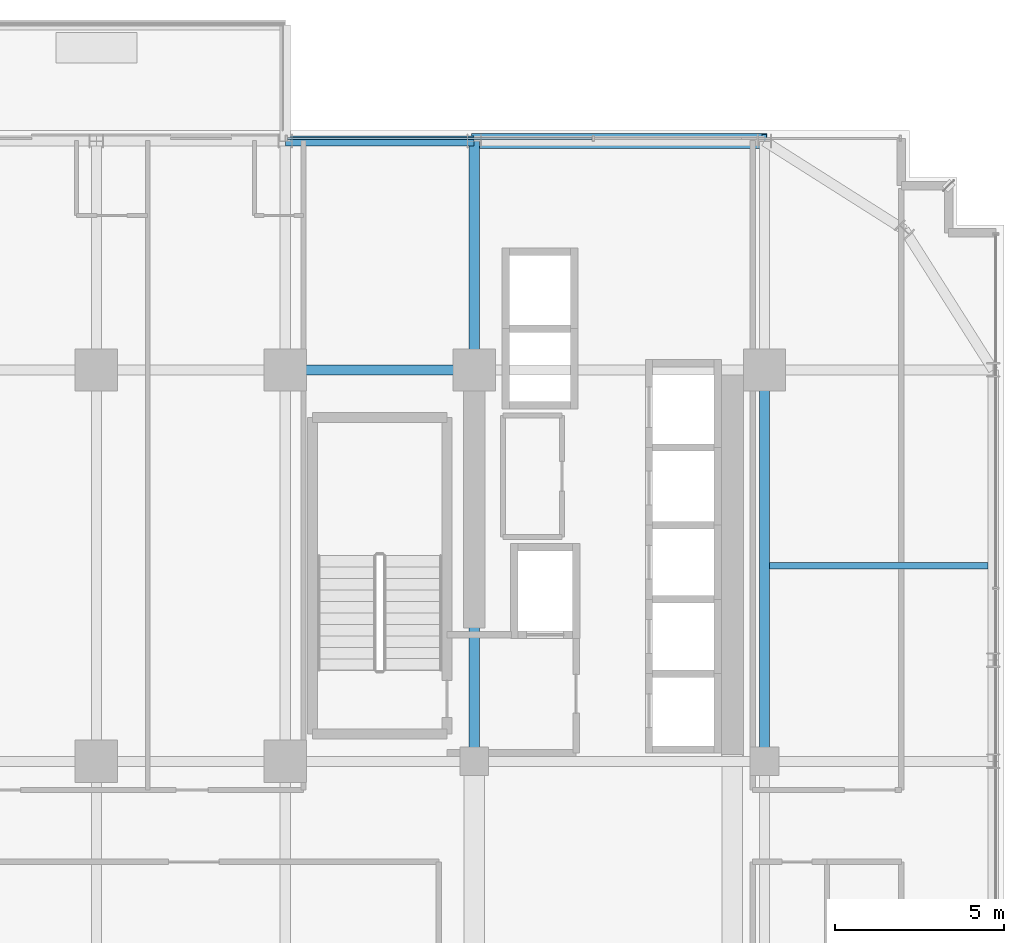
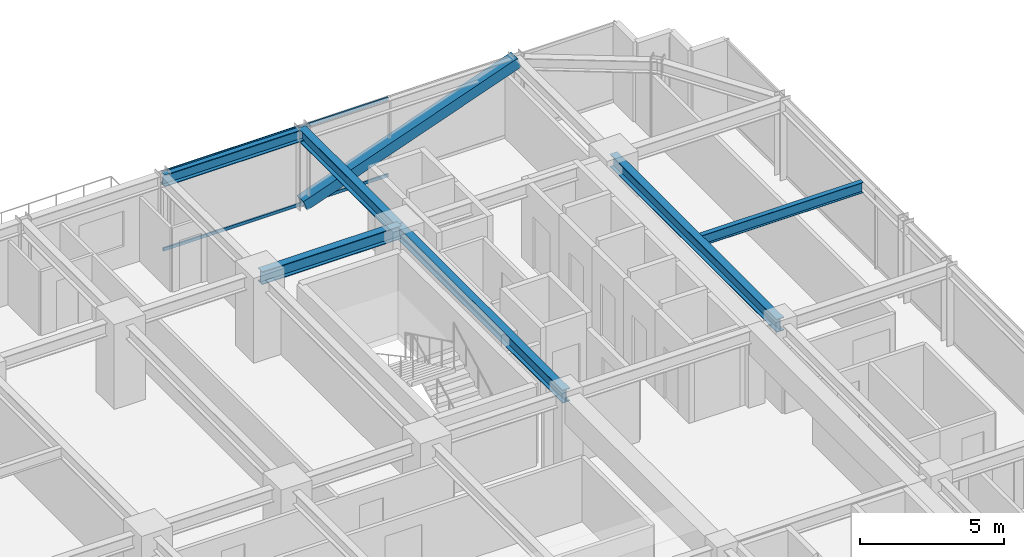
# One storey, part 21 of 39: 6 beams, 3 members, 1 element without a shape of its own.
"""IFC4 building model written with IfcOpenShell, lengths in metres."""

from ifc_helpers import new_model, si_unit, direction, frame, origin, origin_2d, place, context, subcontext, project, spatial, hollow_rectangle, i_section, extrude, source, transform, mapped, material, material_profile, profile_set, type_object, element, aggregate, save


model = new_model("IFC4")

# Units and contexts
model_context = context("Model", 3, precision=1e-05, world=origin(), true_north=direction((0.0, 1.0)))
body_context = subcontext(model_context, "Body", "Model", "MODEL_VIEW")
ifc_project = project(units=[si_unit("LENGTHUNIT", "METRE"), si_unit("AREAUNIT", "SQUARE_METRE"), si_unit("VOLUMEUNIT", "CUBIC_METRE"), si_unit("PLANEANGLEUNIT", "RADIAN"), si_unit("MASSUNIT", "GRAM", prefix="KILO")], contexts=[model_context])

# Site, building, storey
site_placement = place(None, origin())
site = spatial("IfcSite", under=ifc_project, at=site_placement, CompositionType="ELEMENT")
building_placement = place(site_placement, origin())
building = spatial("IfcBuilding", under=site, at=building_placement, Name="Nahalor Promenade Grand Hotel", CompositionType="ELEMENT")
storey_placement = place(building_placement, frame((0.0, 0.0, 135.75)))
storey = spatial("IfcBuildingStorey", under=building, at=storey_placement, Name="L34", CompositionType="ELEMENT", Elevation=135.75)

# Beams
ifc_material_1 = material(Name="Steel S355JR", Category="steel")
ifc_material_profile_1 = material_profile(ifc_material_1, i_section(OverallWidth=0.3, OverallDepth=0.5, WebThickness=0.0145, FlangeThickness=0.028, at=origin_2d()), Name="HEB 500")
ifc_profile_set_1 = profile_set([ifc_material_profile_1], Name="Steel S355JR")
beam_type_1 = type_object("IfcBeamType", Name="Beam-Spandrel-HEB500", PredefinedType="SPANDREL", material=ifc_profile_set_1)
shared_shape_1 = source(origin(), body_context, "Body", "SweptSolid", [
    extrude(i_section(OverallWidth=0.3, OverallDepth=0.5, WebThickness=0.0145, FlangeThickness=0.028, at=origin_2d()), origin(), (0.0, 0.0, 1.0), 5.599853515625),
])
beam_1_placement = place(storey_placement, frame((2.800048828125, 23.780029296875, 3.1298828125), z_axis=(1.0, 0.0, 0.0), x_axis=(0.0, 1.0, 0.0)))
element("IfcBeam", 1, at=beam_1_placement, inside=storey, type_object=beam_type_1, Name="BM-L34-SP-N-3", PredefinedType="SPANDREL", context=body_context, shape_type="MappedRepresentation", body=[
    mapped(shared_shape_1, transform((0.0, 0.0, 0.0), scale=1.0)),
])
ifc_material_profile_2 = material_profile(ifc_material_1, i_section(OverallWidth=0.3, OverallDepth=0.55, WebThickness=0.015, FlangeThickness=0.029, at=origin_2d()), Name="HEB 550")
ifc_profile_set_2 = profile_set([ifc_material_profile_2], Name="Steel S355JR")
beam_type_2 = type_object("IfcBeamType", Name="Beam-Girder-HEB550", PredefinedType="BEAM", material=ifc_profile_set_2)
shared_shape_2 = source(origin(), body_context, "Body", "SweptSolid", [
    extrude(i_section(OverallWidth=0.3, OverallDepth=0.55, WebThickness=0.015, FlangeThickness=0.029, at=origin_2d()), origin(), (0.0, 0.0, 1.0), 6.780029296875),
])
beam_2_placement = place(storey_placement, frame((8.39990234375, 17.0, 3.10498046875), z_axis=(0.0, 1.0, 0.0), x_axis=(-1.0, 0.0, 0.0)))
element("IfcBeam", 2, at=beam_2_placement, inside=storey, type_object=beam_type_2, Name="BM-L34-GY-4-4", PredefinedType="BEAM", context=body_context, shape_type="MappedRepresentation", body=[
    mapped(shared_shape_2, transform((0.0, 0.0, 0.0), scale=1.0)),
])
shared_shape_3 = source(origin(), body_context, "Body", "SweptSolid", [
    extrude(i_section(OverallWidth=0.3, OverallDepth=0.55, WebThickness=0.015, FlangeThickness=0.029, at=origin_2d()), origin(), (0.0, 0.0, 1.0), 5.599853515625),
])
beam_3_placement = place(storey_placement, frame((2.800048828125, 17.0, 3.10498046875), z_axis=(1.0, 0.0, 0.0), x_axis=(0.0, 1.0, 0.0)))
element("IfcBeam", 3, at=beam_3_placement, inside=storey, type_object=beam_type_2, Name="BM-L34-GX-3-4", PredefinedType="BEAM", context=body_context, shape_type="MappedRepresentation", body=[
    mapped(shared_shape_3, transform((0.0, 0.0, 0.0), scale=1.0)),
])
shared_shape_4 = source(origin(), body_context, "Body", "SweptSolid", [
    extrude(i_section(OverallWidth=0.3, OverallDepth=0.55, WebThickness=0.015, FlangeThickness=0.029, at=origin_2d()), origin(), (0.0, 0.0, 1.0), 11.60009765625),
])
for number, where, z_axis, x_axis, name in (
    (4, (8.39990234375, 5.39990234375, 3.10498046875), (0.0, 1.0, 0.0), (-1.0, 0.0, 0.0), "BM-L34-GY-4-3"),
    (5, (17.0, 5.39990234375, 3.10498046875), (0.0, 1.0, 0.0), (-1.0, 0.0, 0.0), "BM-L34-GY-5-3"),
):
    element("IfcBeam", number, at=place(storey_placement, frame(where, z_axis=z_axis, x_axis=x_axis)), inside=storey, type_object=beam_type_2, Name=name, PredefinedType="BEAM", context=body_context, shape_type="MappedRepresentation", body=[
        mapped(shared_shape_4, transform((0.0, 0.0, 0.0), scale=1.0)),
    ])
ifc_material_profile_3 = material_profile(ifc_material_1, i_section(OverallWidth=0.19, OverallDepth=0.45, WebThickness=0.0094, FlangeThickness=0.0146, at=origin_2d()), Name="IPE 450")
ifc_profile_set_3 = profile_set([ifc_material_profile_3], Name="Steel S355JR")
beam_type_3 = type_object("IfcBeamType", Name="Beam-Joist-IPE450", PredefinedType="JOIST", material=ifc_profile_set_3)
shared_shape_5 = source(origin(), body_context, "Body", "SweptSolid", [
    extrude(i_section(OverallWidth=0.19, OverallDepth=0.45, WebThickness=0.0094, FlangeThickness=0.0146, at=origin_2d()), origin(), (0.0, 0.0, 1.0), 6.47998046875),
])
beam_4_placement = place(storey_placement, frame((17.14990234375, 11.199951171875, 3.155029296875), z_axis=(1.0, 0.0, 0.0), x_axis=(0.0, 1.0, 0.0)))
element("IfcBeam", 6, at=beam_4_placement, inside=storey, type_object=beam_type_3, Name="BM-L34-JSE-1-2", PredefinedType="JOIST", context=body_context, shape_type="MappedRepresentation", body=[
    mapped(shared_shape_5, transform((0.0, 0.0, 0.0), scale=1.0)),
])

# Member
ifc_material_2 = material(Name="Steel S355J2", Category="steel")
ifc_material_profile_4 = material_profile(ifc_material_2, hollow_rectangle(XDim=0.45, YDim=0.45, WallThickness=0.025, at=origin_2d()), Name="SHS 450x450x25")
ifc_profile_set_4 = profile_set([ifc_material_profile_4], Name="Steel S355J2")
member_type_1 = type_object("IfcMemberType", Name="Mem-ExoBrace-SHS450", PredefinedType="BRACE", material=ifc_profile_set_4)
shared_shape_6 = source(origin(), body_context, "Body", "SweptSolid", [
    extrude(hollow_rectangle(XDim=0.45, YDim=0.45, WallThickness=0.025, at=origin_2d()), origin(), (0.0, 0.0, 1.0), 9.135009765625),
])
member_1_placement = place(storey_placement, frame((8.39990234375, 23.780029296875, 0.14990234375), z_axis=(0.941442840152, 0.0, 0.337172624521), x_axis=(0.0, 1.0, 0.0)))
element("IfcMember", 7, at=member_1_placement, inside=storey, type_object=member_type_1, Name="EXO-L34-N-1", PredefinedType="BRACE", context=body_context, shape_type="MappedRepresentation", body=[
    mapped(shared_shape_6, transform((0.0, 0.0, 0.0), scale=1.0)),
])

# Curtain wall, members
ifc_material_3 = material(Name="Anodised Bronze Aluminium EN AW-6063 T6", Category="aluminium")
curtain_wall_type = type_object("IfcCurtainWallType", Name="CW2 Typical Hotel Flush Bronze Unitised Curtain Wall", PredefinedType="USERDEFINED", material=ifc_material_3)
curtain_wall_placement = place(storey_placement, origin())
curtain_wall = element("IfcCurtainWall", 8, at=curtain_wall_placement, inside=storey, type_object=curtain_wall_type, Name="L34 Curtain Wall CW-L34-N-3", ObjectType="UNITISED_CURTAIN_WALL", PredefinedType="USERDEFINED")
ifc_material_profile_5 = material_profile(ifc_material_3, hollow_rectangle(XDim=0.065, YDim=0.13, WallThickness=0.004, at=origin_2d()), Name="CWT 65x130x4")
ifc_profile_set_5 = profile_set([ifc_material_profile_5], Name="Anodised Bronze Aluminium EN AW-6063 T6")
member_type_2 = type_object("IfcMemberType", Name="CWT2 Typical Bronze Transom 65x130", PredefinedType="USERDEFINED", material=ifc_profile_set_5)
shared_shape_7 = source(origin(), body_context, "Body", "SweptSolid", [
    extrude(hollow_rectangle(XDim=0.065, YDim=0.13, WallThickness=0.004, at=origin_2d()), origin(), (0.0, 0.0, 1.0), 9.032470703125),
])
member_2_placement = place(storey_placement, frame((2.864990234375, 23.860107421875, 0.06494140625), z_axis=(1.0, 0.0, 0.0), x_axis=(0.0, 1.0, 0.0)))
member_2 = element("IfcMember", 9, at=member_2_placement, type_object=member_type_2, Name="CW-L34-N-3 Transom 0-0", ObjectType="TRANSOM", PredefinedType="USERDEFINED", context=body_context, shape_type="MappedRepresentation", body=[
    mapped(shared_shape_7, transform((0.0, 0.0, 0.0), scale=1.0)),
])
member_3_placement = place(storey_placement, frame((2.864990234375, 23.860107421875, 3.31494140625), z_axis=(1.0, 0.0, 0.0), x_axis=(0.0, 1.0, 0.0)))
member_3 = element("IfcMember", 10, at=member_3_placement, type_object=member_type_2, Name="CW-L34-N-3 Transom 0-1", ObjectType="TRANSOM", PredefinedType="USERDEFINED", context=body_context, shape_type="MappedRepresentation", body=[
    mapped(shared_shape_7, transform((0.0, 0.0, 0.0), scale=1.0)),
])
aggregate(curtain_wall, [member_2, member_3])

save(model, "model.ifc")
